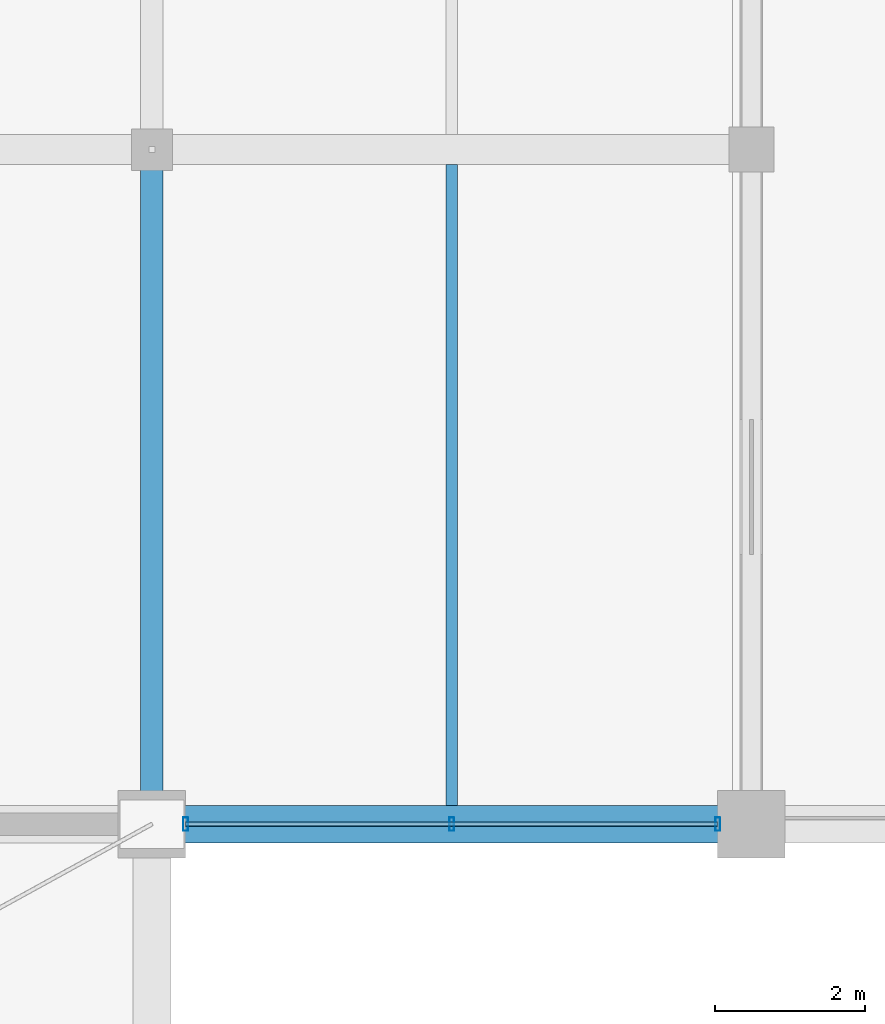
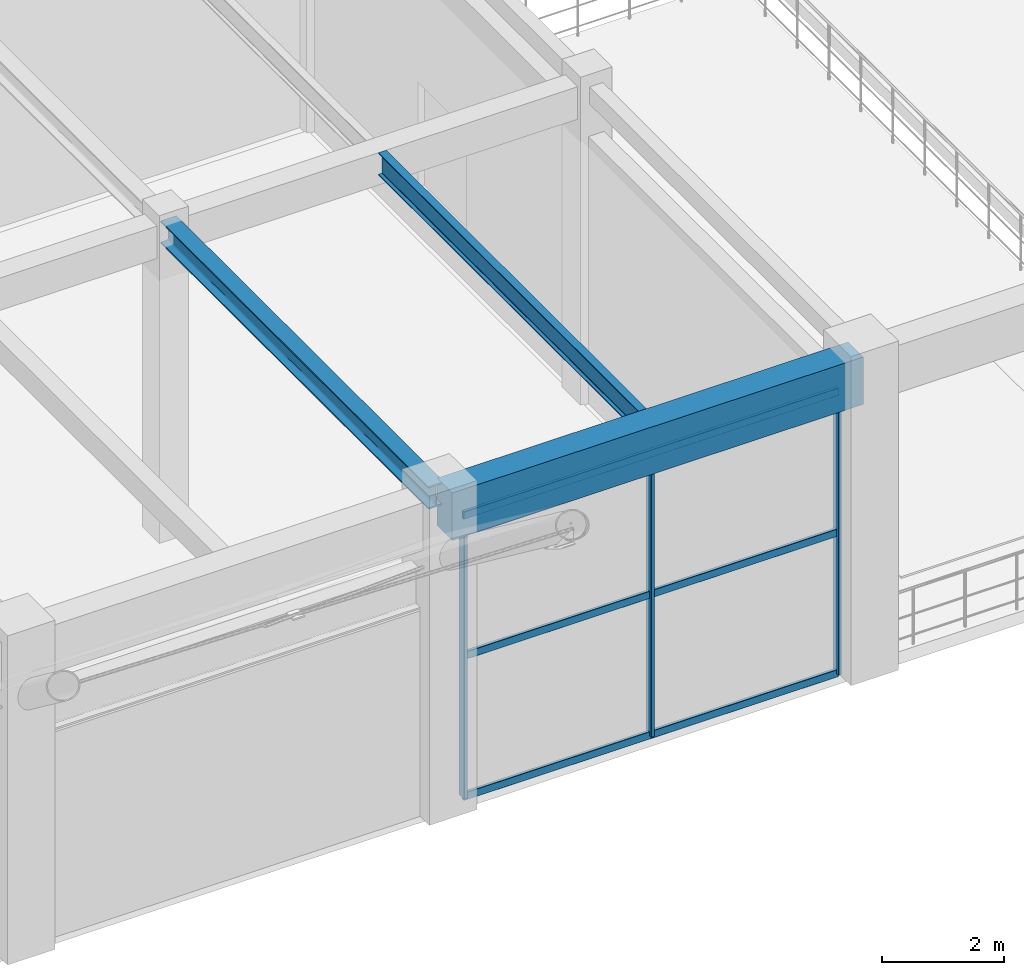
# One storey, part 108 of 163: 6 members, 3 beams, 1 element without a shape of its own.
"""IFC4 building model written with IfcOpenShell, lengths in metres."""

from ifc_helpers import new_model, si_unit, direction, frame, origin, origin_2d, place, context, subcontext, project, spatial, rectangle, hollow_rectangle, i_section, extrude, material, material_profile, profile_set, type_object, element, aggregate, save


model = new_model("IFC4")

# Units and contexts
model_context = context("Model", 3, precision=1e-05, world=origin(), true_north=direction((0.0, 1.0)))
body_context = subcontext(model_context, "Body", "Model", "MODEL_VIEW")
ifc_project = project(units=[si_unit("LENGTHUNIT", "METRE"), si_unit("AREAUNIT", "SQUARE_METRE"), si_unit("VOLUMEUNIT", "CUBIC_METRE"), si_unit("PLANEANGLEUNIT", "RADIAN"), si_unit("MASSUNIT", "GRAM", prefix="KILO")], contexts=[model_context])

# Site, building, storey
site_placement = place(None, origin())
site = spatial("IfcSite", under=ifc_project, at=site_placement, CompositionType="ELEMENT")
building_placement = place(site_placement, origin())
building = spatial("IfcBuilding", under=site, at=building_placement, Name="Varnabhumi Central Station", CompositionType="ELEMENT")
storey_placement = place(building_placement, frame((0.0, 0.0, 9.60009765625)))
storey = spatial("IfcBuildingStorey", under=building, at=storey_placement, Name="L02", CompositionType="ELEMENT", Elevation=9.60009765625)

# Beams
ifc_material_1 = material(Name="Structural steel E350", Category="steel")
ifc_material_profile_1 = material_profile(ifc_material_1, i_section(OverallWidth=0.14990234375, OverallDepth=0.449951171875, WebThickness=0.009521484375, FlangeThickness=0.017333984375, FilletRadius=0.014892578125, at=origin_2d()), Name="Structural steel E350", Category="steel")
ifc_profile_set_1 = profile_set([ifc_material_profile_1], Name="Structural steel E350")
beam_type_1 = type_object("IfcBeamType", Name="BM-JST-ISMB450", PredefinedType="JOIST", material=ifc_profile_set_1)
beam_1_placement = place(storey_placement, frame((140.0, 80.25, 6.125), z_axis=(0.0, 1.0, 0.0), x_axis=(-1.0, 0.0, 0.0)))
element("IfcBeam", 1, at=beam_1_placement, inside=storey, type_object=beam_type_1, Name="Secondary Joist L02-18/19:K-L", PredefinedType="JOIST", context=body_context, shape_type="SweptSolid", body=[
    extrude(i_section(OverallWidth=0.14990234375, OverallDepth=0.449951171875, WebThickness=0.009521484375, FlangeThickness=0.017333984375, FilletRadius=0.014892578125, at=origin_2d()), origin(), (0.0, 0.0, 1.0), 8.550048828125),
])
ifc_material_2 = material(Name="Concrete M40", Category="concrete")
ifc_material_profile_2 = material_profile(ifc_material_2, rectangle(XDim=0.5, YDim=0.949951171875, at=origin_2d()), Name="Concrete M40", Category="concrete")
ifc_profile_set_2 = profile_set([ifc_material_profile_2], Name="Concrete M40")
beam_type_2 = type_object("IfcBeamType", Name="BM-RC-950x500", PredefinedType="BEAM", material=ifc_profile_set_2)
beam_2_placement = place(storey_placement, frame((136.10009765625, 80.0, 5.875), z_axis=(1.0, 0.0, 0.0), x_axis=(0.0, 1.0, 0.0)))
element("IfcBeam", 2, at=beam_2_placement, inside=storey, type_object=beam_type_2, Name="Beam L02-K:18-19", PredefinedType="BEAM", context=body_context, shape_type="SweptSolid", body=[
    extrude(rectangle(XDim=0.5, YDim=0.949951171875, at=origin_2d()), origin(), (0.0, 0.0, 1.0), 7.7998046875),
])
ifc_material_profile_3 = material_profile(ifc_material_1, i_section(OverallWidth=0.300048828125, OverallDepth=0.449951171875, WebThickness=0.013916015625, FlangeThickness=0.02587890625, FilletRadius=0.027099609375, at=origin_2d()), Name="Structural steel E350", Category="steel")
ifc_profile_set_3 = profile_set([ifc_material_profile_3], Name="Structural steel E350")
beam_type_3 = type_object("IfcBeamType", Name="BM-STL-WPB450", PredefinedType="BEAM", material=ifc_profile_set_3)
beam_3_placement = place(storey_placement, frame((136.0, 80.10009765625, 6.125), z_axis=(0.0, 1.0, 0.0), x_axis=(-1.0, 0.0, 0.0)))
element("IfcBeam", 3, at=beam_3_placement, inside=storey, type_object=beam_type_3, Name="Beam L02-18:K-L", PredefinedType="BEAM", context=body_context, shape_type="SweptSolid", body=[
    extrude(i_section(OverallWidth=0.300048828125, OverallDepth=0.449951171875, WebThickness=0.013916015625, FlangeThickness=0.02587890625, FilletRadius=0.027099609375, at=origin_2d()), origin(), (0.0, 0.0, 1.0), 8.7998046875),
])

# Curtain wall, members
ifc_material_3 = material(Name="Anodised aluminium 6063-T6", Category="aluminium")
curtain_wall_type = type_object("IfcCurtainWallType", Name="CW-SPINE-SCREEN-L2", PredefinedType="NOTDEFINED", material=ifc_material_3)
curtain_wall_placement = place(storey_placement, origin())
curtain_wall = element("IfcCurtainWall", 4, at=curtain_wall_placement, inside=storey, type_object=curtain_wall_type, Name="Curtain Wall CW-NS214", PredefinedType="NOTDEFINED")
ifc_material_profile_4 = material_profile(ifc_material_3, hollow_rectangle(XDim=0.06494140625, YDim=0.179931640625, WallThickness=0.00390625, InnerFilletRadius=0.001953125, OuterFilletRadius=0.006103515625, at=origin_2d()), Name="Anodised aluminium 6063-T6", Category="aluminium")
ifc_profile_set_4 = profile_set([ifc_material_profile_4], Name="Anodised aluminium 6063-T6")
member_type_1 = type_object("IfcMemberType", Name="CW-MUL-180", PredefinedType="MULLION", material=ifc_profile_set_4)
member_1_placement = place(storey_placement, frame((136.449951171875, 80.0, 0.0), z_axis=(0.0, 0.0, 1.0), x_axis=(1.0, 0.0, 0.0)))
member_1 = element("IfcMember", 5, at=member_1_placement, type_object=member_type_1, Name="Curtain Wall Mullion CW-NS214-M1", PredefinedType="MULLION", context=body_context, shape_type="SweptSolid", body=[
    extrude(hollow_rectangle(XDim=0.06494140625, YDim=0.179931640625, WallThickness=0.00390625, InnerFilletRadius=0.001953125, OuterFilletRadius=0.006103515625, at=origin_2d()), origin(), (0.0, 0.0, 1.0), 5.639892578125),
])
member_2_placement = place(storey_placement, frame((140.0, 80.0, 0.0), z_axis=(0.0, 0.0, 1.0), x_axis=(1.0, 0.0, 0.0)))
member_2 = element("IfcMember", 6, at=member_2_placement, type_object=member_type_1, Name="Curtain Wall Mullion CW-NS214-M2", PredefinedType="MULLION", context=body_context, shape_type="SweptSolid", body=[
    extrude(hollow_rectangle(XDim=0.06494140625, YDim=0.179931640625, WallThickness=0.00390625, InnerFilletRadius=0.001953125, OuterFilletRadius=0.006103515625, at=origin_2d()), origin(), (0.0, 0.0, 1.0), 5.639892578125),
])
member_3_placement = place(storey_placement, frame((143.550048828125, 80.0, 0.0), z_axis=(0.0, 0.0, 1.0), x_axis=(1.0, 0.0, 0.0)))
member_3 = element("IfcMember", 7, at=member_3_placement, type_object=member_type_1, Name="Curtain Wall Mullion CW-NS214-M3", PredefinedType="MULLION", context=body_context, shape_type="SweptSolid", body=[
    extrude(hollow_rectangle(XDim=0.06494140625, YDim=0.179931640625, WallThickness=0.00390625, InnerFilletRadius=0.001953125, OuterFilletRadius=0.006103515625, at=origin_2d()), origin(), (0.0, 0.0, 1.0), 5.639892578125),
])
ifc_material_profile_5 = material_profile(ifc_material_3, hollow_rectangle(XDim=0.06005859375, YDim=0.14990234375, WallThickness=0.00390625, InnerFilletRadius=0.001953125, OuterFilletRadius=0.006103515625, at=origin_2d()), Name="Anodised aluminium 6063-T6", Category="aluminium")
ifc_profile_set_5 = profile_set([ifc_material_profile_5], Name="Anodised aluminium 6063-T6")
member_type_2 = type_object("IfcMemberType", Name="CW-TR-150", PredefinedType="USERDEFINED", material=ifc_profile_set_5)
member_4_placement = place(storey_placement, frame((136.449951171875, 80.0, 0.0), z_axis=(1.0, 0.0, 0.0), x_axis=(0.0, 1.0, 0.0)))
member_4 = element("IfcMember", 8, at=member_4_placement, type_object=member_type_2, Name="Curtain Wall Transom CW-NS214-T1", ObjectType="TRANSOM", PredefinedType="USERDEFINED", context=body_context, shape_type="SweptSolid", body=[
    extrude(hollow_rectangle(XDim=0.06005859375, YDim=0.14990234375, WallThickness=0.00390625, InnerFilletRadius=0.001953125, OuterFilletRadius=0.006103515625, at=origin_2d()), origin(), (0.0, 0.0, 1.0), 7.10009765625),
])
member_5_placement = place(storey_placement, frame((136.449951171875, 80.0, 2.81982421875), z_axis=(1.0, 0.0, 0.0), x_axis=(0.0, 1.0, 0.0)))
member_5 = element("IfcMember", 9, at=member_5_placement, type_object=member_type_2, Name="Curtain Wall Transom CW-NS214-T2", ObjectType="TRANSOM", PredefinedType="USERDEFINED", context=body_context, shape_type="SweptSolid", body=[
    extrude(hollow_rectangle(XDim=0.06005859375, YDim=0.14990234375, WallThickness=0.00390625, InnerFilletRadius=0.001953125, OuterFilletRadius=0.006103515625, at=origin_2d()), origin(), (0.0, 0.0, 1.0), 7.10009765625),
])
member_6_placement = place(storey_placement, frame((136.449951171875, 80.0, 5.639892578125), z_axis=(1.0, 0.0, 0.0), x_axis=(0.0, 1.0, 0.0)))
member_6 = element("IfcMember", 10, at=member_6_placement, type_object=member_type_2, Name="Curtain Wall Transom CW-NS214-T3", ObjectType="TRANSOM", PredefinedType="USERDEFINED", context=body_context, shape_type="SweptSolid", body=[
    extrude(hollow_rectangle(XDim=0.06005859375, YDim=0.14990234375, WallThickness=0.00390625, InnerFilletRadius=0.001953125, OuterFilletRadius=0.006103515625, at=origin_2d()), origin(), (0.0, 0.0, 1.0), 7.10009765625),
])
aggregate(curtain_wall, [member_1, member_2, member_3, member_4, member_5, member_6])

save(model, "model.ifc")
